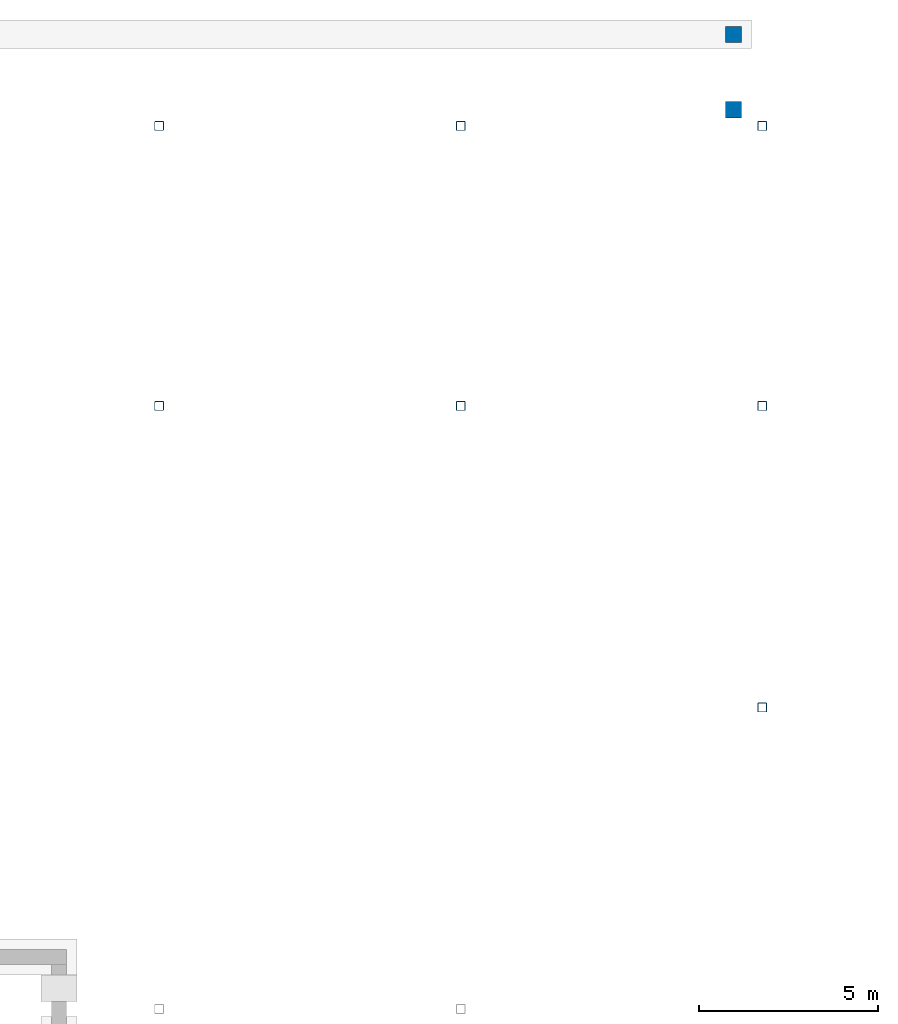
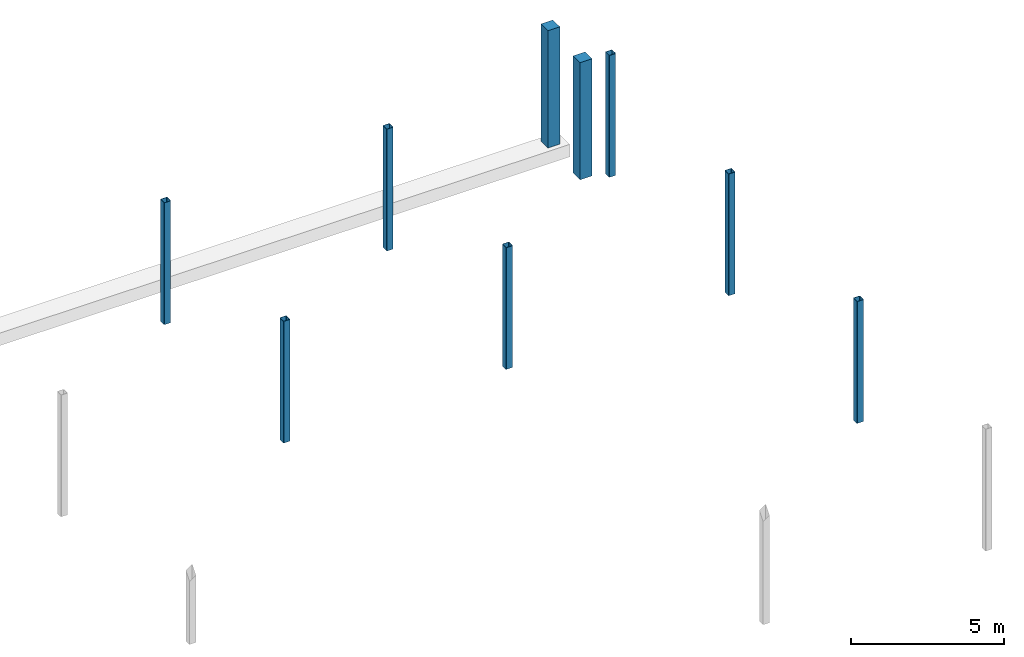
# One storey, part 27 of 39: 9 columns.
"""IFC4 building model written with IfcOpenShell, lengths in metres."""

from ifc_helpers import new_model, si_unit, derived_unit, direction, frame, origin, origin_2d, place, context, subcontext, project, spatial, rectangle, hollow_rectangle, extrude, material, material_profile, profile_set, type_object, element, save


model = new_model("IFC4")

# Units and contexts
model_context = context("Model", 3, precision=1e-05, world=origin(), true_north=direction((0.0, 1.0)))
body_context = subcontext(model_context, "Body", "Model", "MODEL_VIEW")
ifc_project = project(units=[si_unit("LENGTHUNIT", "METRE"), si_unit("AREAUNIT", "SQUARE_METRE"), si_unit("VOLUMEUNIT", "CUBIC_METRE"), si_unit("PLANEANGLEUNIT", "RADIAN"), si_unit("MASSUNIT", "GRAM", prefix="KILO"), derived_unit("THERMALTRANSMITTANCEUNIT", [(si_unit("POWERUNIT", "WATT"), 1), (si_unit("LENGTHUNIT", "METRE"), -2), (si_unit("THERMODYNAMICTEMPERATUREUNIT", "KELVIN"), -1)])], contexts=[model_context])

# Site, building, storey
site_placement = place(None, origin())
site = spatial("IfcSite", under=ifc_project, at=site_placement, CompositionType="ELEMENT")
building_placement = place(site_placement, origin())
building = spatial("IfcBuilding", under=site, at=building_placement, Name="Barrovel Congress Hotel", CompositionType="ELEMENT")
storey_placement = place(building_placement, frame((0.0, 0.0, -4.5)))
storey = spatial("IfcBuildingStorey", under=building, at=storey_placement, Name="B01", CompositionType="ELEMENT", Elevation=-4.5)

# Columns
ifc_material_1 = material(Name="Concrete C40", Category="concrete")
ifc_material_profile_1 = material_profile(ifc_material_1, rectangle(XDim=0.449951171875, YDim=0.449951171875, at=origin_2d()), Name="RC450x450")
ifc_profile_set_1 = profile_set([ifc_material_profile_1], Name="Concrete C40")
column_type_1 = type_object("IfcColumnType", Name="COL-RC450x450", PredefinedType="COLUMN", material=ifc_profile_set_1)
for number, where, z_axis, x_axis, name in (
    (1, (175.60009765625, 113.25, -0.360107421875), (0.0, 0.0, 1.0), (1.0, 0.0, 0.0), "COL:PAV-NORTH-SPA:2"),
    (2, (175.60009765625, 115.35009765625, -0.360107421875), (0.0, 0.0, 1.0), (1.0, 0.0, 0.0), "COL:PAV-NORTH-SPA:3"),
):
    element("IfcColumn", number, at=place(storey_placement, frame(where, z_axis=z_axis, x_axis=x_axis)), inside=storey, type_object=column_type_1, Name=name, PredefinedType="COLUMN", context=body_context, shape_type="SweptSolid", body=[
        extrude(rectangle(XDim=0.449951171875, YDim=0.449951171875, at=origin_2d()), origin(), (0.0, 0.0, 1.0), 4.68017578125),
    ])
ifc_material_2 = material(Name="Steel ASTM A500 Grade C", Category="steel")
ifc_material_profile_2 = material_profile(ifc_material_2, hollow_rectangle(XDim=0.25390625, YDim=0.25390625, WallThickness=0.01171875, InnerFilletRadius=0.01171875, OuterFilletRadius=0.023681640625, at=origin_2d()), Name="HSS254x254x12.7")
ifc_profile_set_2 = profile_set([ifc_material_profile_2], Name="Steel ASTM A500 Grade C")
column_type_2 = type_object("IfcColumnType", Name="SCOL-HSS254x254x12.7", PredefinedType="COLUMN", material=ifc_profile_set_2)
for number, where, z_axis, x_axis, name in (
    (3, (159.60009765625, 105.0, -0.360107421875), (0.0, 0.0, 1.0), (1.0, 0.0, 0.0), "COL:B01:159.6:105.0"),
    (4, (159.60009765625, 112.800048828125, -0.360107421875), (0.0, 0.0, 1.0), (1.0, 0.0, 0.0), "COL:B01:159.6:112.8"),
    (5, (168.0, 105.0, -0.360107421875), (0.0, 0.0, 1.0), (1.0, 0.0, 0.0), "COL:B01:168.0:105.0"),
    (6, (168.0, 112.800048828125, -0.360107421875), (0.0, 0.0, 1.0), (1.0, 0.0, 0.0), "COL:B01:168.0:112.8"),
    (7, (176.39990234375, 96.60009765625, -0.360107421875), (0.0, 0.0, 1.0), (1.0, 0.0, 0.0), "COL:B01:176.4:96.6"),
    (8, (176.39990234375, 105.0, -0.360107421875), (0.0, 0.0, 1.0), (1.0, 0.0, 0.0), "COL:B01:176.4:105.0"),
    (9, (176.39990234375, 112.800048828125, -0.360107421875), (0.0, 0.0, 1.0), (1.0, 0.0, 0.0), "COL:B01:176.4:112.8"),
):
    element("IfcColumn", number, at=place(storey_placement, frame(where, z_axis=z_axis, x_axis=x_axis)), inside=storey, type_object=column_type_2, Name=name, PredefinedType="COLUMN", context=body_context, shape_type="SweptSolid", body=[
        extrude(hollow_rectangle(XDim=0.25390625, YDim=0.25390625, WallThickness=0.01171875, InnerFilletRadius=0.01171875, OuterFilletRadius=0.023681640625, at=origin_2d()), origin(), (0.0, 0.0, 1.0), 4.860107421875),
    ])

save(model, "model.ifc")
